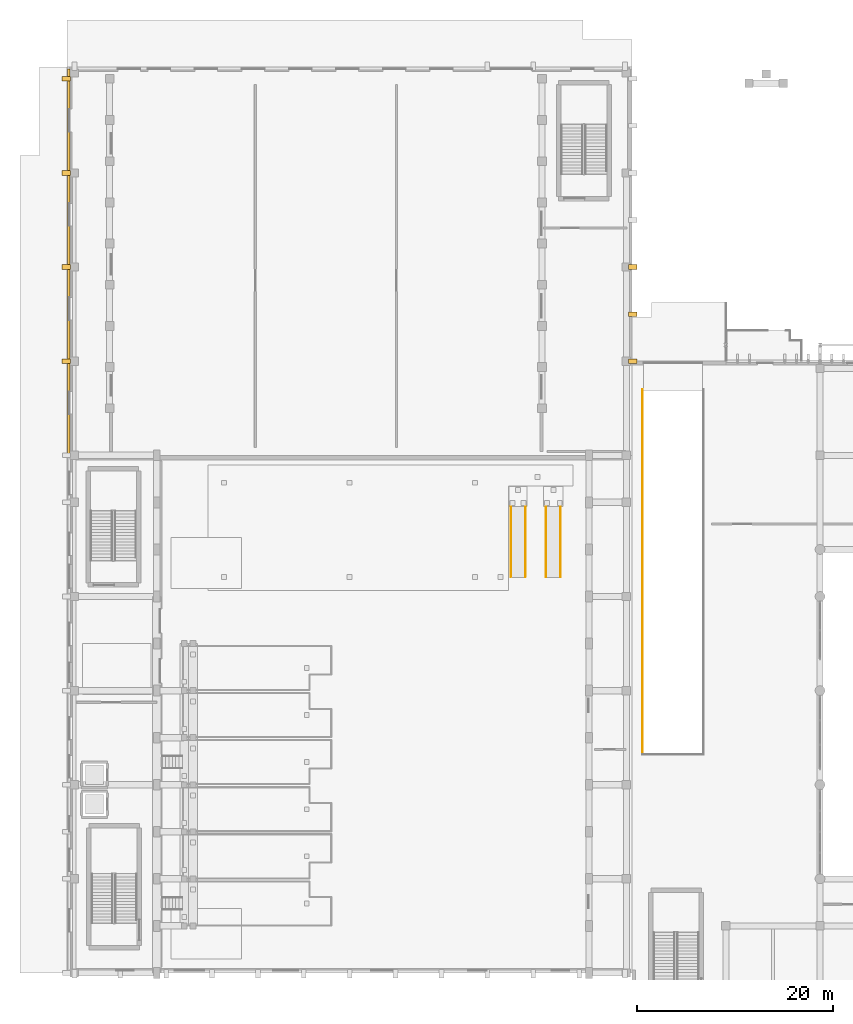
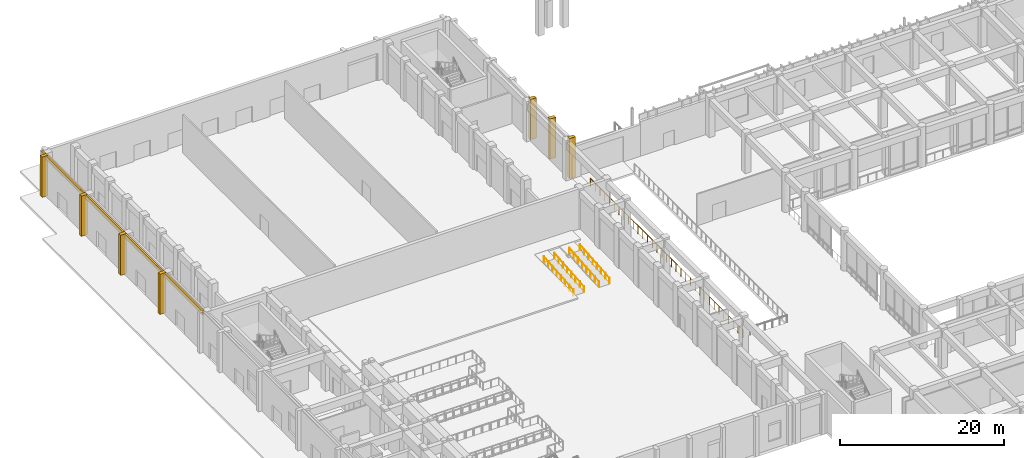
# One storey, part 71 of 87: 8 coverings, 5 railings.
"""IFC4 building model written with IfcOpenShell, lengths in metres."""

from ifc_helpers import new_model, si_unit, direction, frame, origin, origin_2d, place, context, subcontext, project, spatial, rectangle, circle, extrude, material, layer, layer_set, type_object, element, save


model = new_model("IFC4")

# Units and contexts
model_context = context("Model", 3, precision=1e-05, world=origin(), true_north=direction((0.0, 1.0)))
body_context = subcontext(model_context, "Body", "Model", "MODEL_VIEW")
ifc_project = project(units=[si_unit("LENGTHUNIT", "METRE"), si_unit("AREAUNIT", "SQUARE_METRE"), si_unit("VOLUMEUNIT", "CUBIC_METRE"), si_unit("PLANEANGLEUNIT", "RADIAN"), si_unit("MASSUNIT", "GRAM", prefix="KILO")], contexts=[model_context])

# Site, building, storey
site_placement = place(None, origin())
site = spatial("IfcSite", under=ifc_project, at=site_placement, CompositionType="ELEMENT")
building_placement = place(site_placement, origin())
building = spatial("IfcBuilding", under=site, at=building_placement, Name="Nakhvara Creek Congress Hotel", CompositionType="ELEMENT")
storey_placement = place(building_placement, origin())
storey = spatial("IfcBuildingStorey", under=building, at=storey_placement, Name="L00", CompositionType="ELEMENT", Elevation=0.0)

# Coverings
ifc_material_1 = material(Name="Honed pale Omani limestone architectural cladding", Category="masonry")
ifc_layer_1 = layer(ifc_material_1, 0.239990234375)
ifc_layer_set_1 = layer_set([ifc_layer_1], Name="Honed pale Omani limestone architectural cladding")
covering_type_1 = type_object("IfcCoveringType", Name="COV-ARCH-240", PredefinedType="CLADDING", material=ifc_layer_set_1)
covering_placement = place(storey_placement, frame((0.18994140625, 106.10009765625, 5.419921875), z_axis=(0.0, 0.0, 1.0), x_axis=(0.0, 1.0, 0.0)))
element("IfcCovering", 1, at=covering_placement, inside=storey, type_object=covering_type_1, Name="Pale Limestone Spandrel Band CF04-0036", PredefinedType="CLADDING", context=body_context, shape_type="SweptSolid", body=[
    extrude(rectangle(XDim=39.39990234375, YDim=0.260009765625, at=origin_2d()), origin(), (0.0, 0.0, 1.0), 0.580078125),
])
ifc_layer_2 = layer(ifc_material_1, 0.449951171875)
ifc_layer_set_2 = layer_set([ifc_layer_2], Name="Honed pale Omani limestone architectural cladding")
covering_type_2 = type_object("IfcCoveringType", Name="COV-BUTT-850", PredefinedType="CLADDING", material=ifc_layer_set_2)
for number, where, z_axis, x_axis, name in (
    (2, (-0.0849609375, 96.0, 0.0), (0.0, 0.0, 1.0), (0.0, 1.0, 0.0), "Gothic Limestone Buttress Pier CF03-0419"),
    (3, (57.68505859375, 96.0, 0.0), (0.0, 0.0, 1.0), (0.0, 1.0, 0.0), "Gothic Limestone Buttress Pier CF03-0420"),
    (4, (57.68505859375, 100.800048828125, 0.0), (0.0, 0.0, 1.0), (0.0, 1.0, 0.0), "Gothic Limestone Buttress Pier CF03-0421"),
    (5, (-0.0849609375, 105.60009765625, 0.0), (0.0, 0.0, 1.0), (0.0, 1.0, 0.0), "Gothic Limestone Buttress Pier CF03-0422"),
    (6, (57.68505859375, 105.60009765625, 0.0), (0.0, 0.0, 1.0), (0.0, 1.0, 0.0), "Gothic Limestone Buttress Pier CF03-0423"),
    (7, (-0.0849609375, 115.199951171875, 0.0), (0.0, 0.0, 1.0), (0.0, 1.0, 0.0), "Gothic Limestone Buttress Pier CF03-0425"),
    (8, (-0.0849609375, 124.800048828125, 0.0), (0.0, 0.0, 1.0), (0.0, 1.0, 0.0), "Gothic Limestone Buttress Pier CF03-0428"),
):
    element("IfcCovering", number, at=place(storey_placement, frame(where, z_axis=z_axis, x_axis=x_axis)), inside=storey, type_object=covering_type_2, Name=name, PredefinedType="CLADDING", context=body_context, shape_type="SweptSolid", body=[
        extrude(rectangle(XDim=0.47998046875, YDim=0.85009765625, at=origin_2d()), origin(), (0.0, 0.0, 1.0), 6.0),
    ])

# Railings
ifc_material_2 = material(Name="Brushed stainless steel 316L", Category="steel")
railing_type_1 = type_object("IfcRailingType", Name="RL-GUARD-1200", PredefinedType="GUARDRAIL", material=ifc_material_2)
railing_placement = place(storey_placement, frame((58.679931640625, 55.8798828125, 0.0)))
element("IfcRailing", 9, at=railing_placement, inside=storey, type_object=railing_type_1, Name="Ramp Well Guard VR2-W", PredefinedType="GUARDRAIL", context=body_context, shape_type="SweptSolid", body=[
    extrude(circle(Radius=0.02392578125, at=origin_2d()), frame((0.0, 0.0146484375, 1.17578125), z_axis=(0.0, 1.0, 0.0), x_axis=(-1.0, 0.0, 0.0)), (0.0, 0.0, 1.0), 37.2109375),
    extrude(circle(Radius=0.02099609375, at=origin_2d()), origin(), (0.0, 0.0, 1.0), 1.1806640625),
    extrude(circle(Radius=0.02099609375, at=origin_2d()), frame((0.0, 1.163818359375, 0.0)), (0.0, 0.0, 1.0), 1.1806640625),
    extrude(circle(Radius=0.02099609375, at=origin_2d()), frame((0.0, 2.32763671875, 0.0)), (0.0, 0.0, 1.0), 1.1806640625),
    extrude(circle(Radius=0.02099609375, at=origin_2d()), frame((0.0, 3.4912109375, 0.0)), (0.0, 0.0, 1.0), 1.1806640625),
    extrude(circle(Radius=0.02099609375, at=origin_2d()), frame((0.0, 4.655029296875, 0.0)), (0.0, 0.0, 1.0), 1.1806640625),
    extrude(circle(Radius=0.02099609375, at=origin_2d()), frame((0.0, 5.81884765625, 0.0)), (0.0, 0.0, 1.0), 1.1806640625),
    extrude(circle(Radius=0.02099609375, at=origin_2d()), frame((0.0, 6.982421875, 0.0)), (0.0, 0.0, 1.0), 1.1806640625),
    extrude(circle(Radius=0.02099609375, at=origin_2d()), frame((0.0, 8.146240234375, 0.0)), (0.0, 0.0, 1.0), 1.1806640625),
    extrude(circle(Radius=0.02099609375, at=origin_2d()), frame((0.0, 9.31005859375, 0.0)), (0.0, 0.0, 1.0), 1.1806640625),
    extrude(circle(Radius=0.02099609375, at=origin_2d()), frame((0.0, 10.473876953125, 0.0)), (0.0, 0.0, 1.0), 1.1806640625),
    extrude(circle(Radius=0.02099609375, at=origin_2d()), frame((0.0, 11.6376953125, 0.0)), (0.0, 0.0, 1.0), 1.1806640625),
    extrude(circle(Radius=0.02099609375, at=origin_2d()), frame((0.0, 12.80126953125, 0.0)), (0.0, 0.0, 1.0), 1.1806640625),
    extrude(circle(Radius=0.02099609375, at=origin_2d()), frame((0.0, 13.965087890625, 0.0)), (0.0, 0.0, 1.0), 1.1806640625),
    extrude(circle(Radius=0.02099609375, at=origin_2d()), frame((0.0, 15.12890625, 0.0)), (0.0, 0.0, 1.0), 1.1806640625),
    extrude(circle(Radius=0.02099609375, at=origin_2d()), frame((0.0, 16.29248046875, 0.0)), (0.0, 0.0, 1.0), 1.1806640625),
    extrude(circle(Radius=0.02099609375, at=origin_2d()), frame((0.0, 17.456298828125, 0.0)), (0.0, 0.0, 1.0), 1.1806640625),
    extrude(circle(Radius=0.02099609375, at=origin_2d()), frame((0.0, 18.6201171875, 0.0)), (0.0, 0.0, 1.0), 1.1806640625),
    extrude(circle(Radius=0.02099609375, at=origin_2d()), frame((0.0, 19.783935546875, 0.0)), (0.0, 0.0, 1.0), 1.1806640625),
    extrude(circle(Radius=0.02099609375, at=origin_2d()), frame((0.0, 20.94775390625, 0.0)), (0.0, 0.0, 1.0), 1.1806640625),
    extrude(circle(Radius=0.02099609375, at=origin_2d()), frame((0.0, 22.111328125, 0.0)), (0.0, 0.0, 1.0), 1.1806640625),
    extrude(circle(Radius=0.02099609375, at=origin_2d()), frame((0.0, 23.275146484375, 0.0)), (0.0, 0.0, 1.0), 1.1806640625),
    extrude(circle(Radius=0.02099609375, at=origin_2d()), frame((0.0, 24.43896484375, 0.0)), (0.0, 0.0, 1.0), 1.1806640625),
    extrude(circle(Radius=0.02099609375, at=origin_2d()), frame((0.0, 25.6025390625, 0.0)), (0.0, 0.0, 1.0), 1.1806640625),
    extrude(circle(Radius=0.02099609375, at=origin_2d()), frame((0.0, 26.766357421875, 0.0)), (0.0, 0.0, 1.0), 1.1806640625),
    extrude(circle(Radius=0.02099609375, at=origin_2d()), frame((0.0, 27.93017578125, 0.0)), (0.0, 0.0, 1.0), 1.1806640625),
    extrude(circle(Radius=0.02099609375, at=origin_2d()), frame((0.0, 29.093994140625, 0.0)), (0.0, 0.0, 1.0), 1.1806640625),
    extrude(circle(Radius=0.02099609375, at=origin_2d()), frame((0.0, 30.2578125, 0.0)), (0.0, 0.0, 1.0), 1.1806640625),
    extrude(circle(Radius=0.02099609375, at=origin_2d()), frame((0.0, 31.42138671875, 0.0)), (0.0, 0.0, 1.0), 1.1806640625),
    extrude(circle(Radius=0.02099609375, at=origin_2d()), frame((0.0, 32.585205078125, 0.0)), (0.0, 0.0, 1.0), 1.1806640625),
    extrude(circle(Radius=0.02099609375, at=origin_2d()), frame((0.0, 33.7490234375, 0.0)), (0.0, 0.0, 1.0), 1.1806640625),
    extrude(circle(Radius=0.02099609375, at=origin_2d()), frame((0.0, 34.91259765625, 0.0)), (0.0, 0.0, 1.0), 1.1806640625),
    extrude(circle(Radius=0.02099609375, at=origin_2d()), frame((0.0, 36.076416015625, 0.0)), (0.0, 0.0, 1.0), 1.1806640625),
    extrude(circle(Radius=0.02099609375, at=origin_2d()), frame((0.0, 37.240234375, 0.0)), (0.0, 0.0, 1.0), 1.1806640625),
])
railing_type_2 = type_object("IfcRailingType", Name="RL-HAND-900", PredefinedType="HANDRAIL", material=ifc_material_2)
for number, where, name in (
    (10, (45.260009765625, 74.0, 0.0), "Ramp Handrail PR03-1L"),
    (11, (46.739990234375, 74.0, 0.0), "Ramp Handrail PR03-1R"),
    (12, (48.860107421875, 74.0, 0.0), "Ramp Handrail PR05-1L"),
    (13, (50.340087890625, 74.0, 0.0), "Ramp Handrail PR05-1R"),
):
    element("IfcRailing", number, at=place(storey_placement, frame(where)), inside=storey, type_object=railing_type_2, Name=name, PredefinedType="HANDRAIL", context=body_context, shape_type="SweptSolid", body=[
        extrude(circle(Radius=0.02392578125, at=origin_2d()), frame((0.0, 0.0146484375, 0.877197265625), z_axis=(0.0, 0.996544592923, 0.083059462528), x_axis=(-1.0, 0.0, 0.0)), (0.0, 0.0, 1.0), 7.195556640625),
        extrude(circle(Radius=0.02099609375, at=origin_2d()), origin(), (0.0, 0.0, 1.0), 0.880615234375),
        extrude(circle(Radius=0.02099609375, at=origin_2d()), frame((0.0, 1.028564453125, 0.085693359375)), (0.0, 0.0, 1.0), 0.880615234375),
        extrude(circle(Radius=0.02099609375, at=origin_2d()), frame((0.0, 2.05712890625, 0.17138671875)), (0.0, 0.0, 1.0), 0.880615234375),
        extrude(circle(Radius=0.02099609375, at=origin_2d()), frame((0.0, 3.085693359375, 0.257080078125)), (0.0, 0.0, 1.0), 0.880615234375),
        extrude(circle(Radius=0.02099609375, at=origin_2d()), frame((0.0, 4.1142578125, 0.343017578125)), (0.0, 0.0, 1.0), 0.880615234375),
        extrude(circle(Radius=0.02099609375, at=origin_2d()), frame((0.0, 5.142822265625, 0.4287109375)), (0.0, 0.0, 1.0), 0.880615234375),
        extrude(circle(Radius=0.02099609375, at=origin_2d()), frame((0.0, 6.17138671875, 0.514404296875)), (0.0, 0.0, 1.0), 0.880615234375),
        extrude(circle(Radius=0.02099609375, at=origin_2d()), frame((0.0, 7.199951171875, 0.60009765625)), (0.0, 0.0, 1.0), 0.880615234375),
    ])

save(model, "model.ifc")
